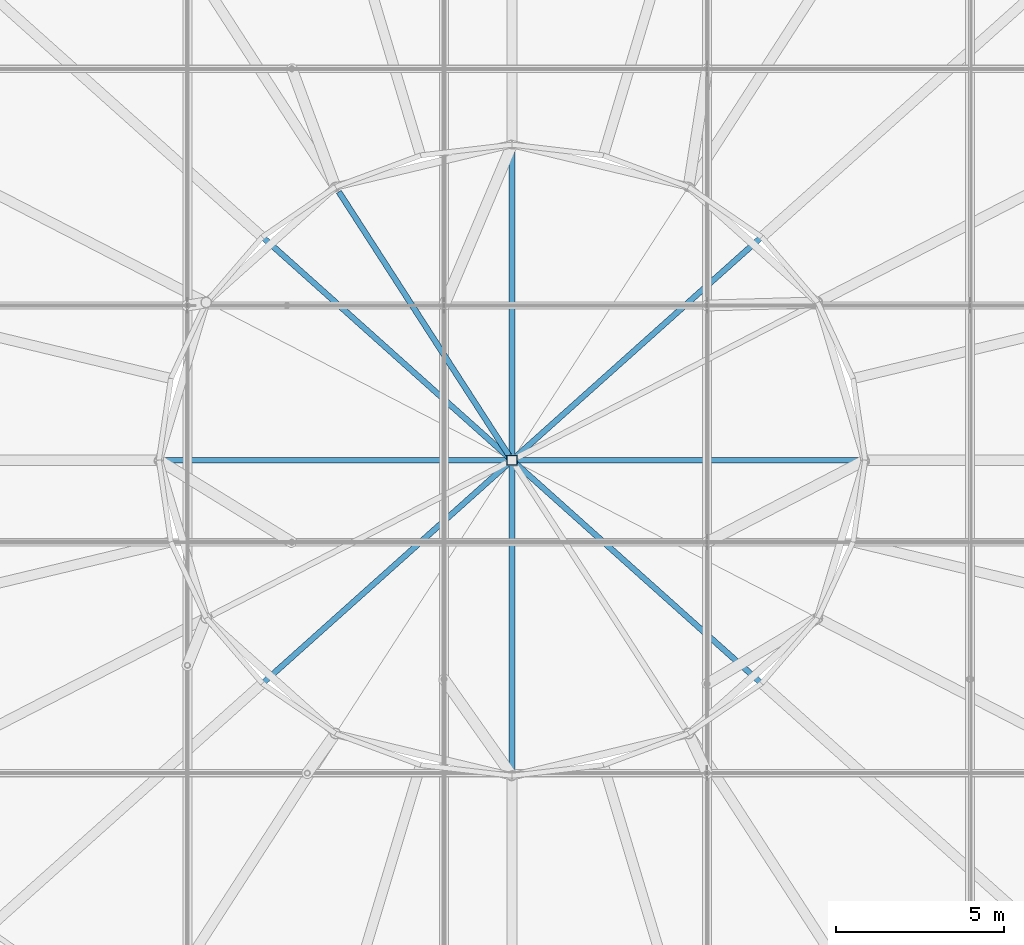
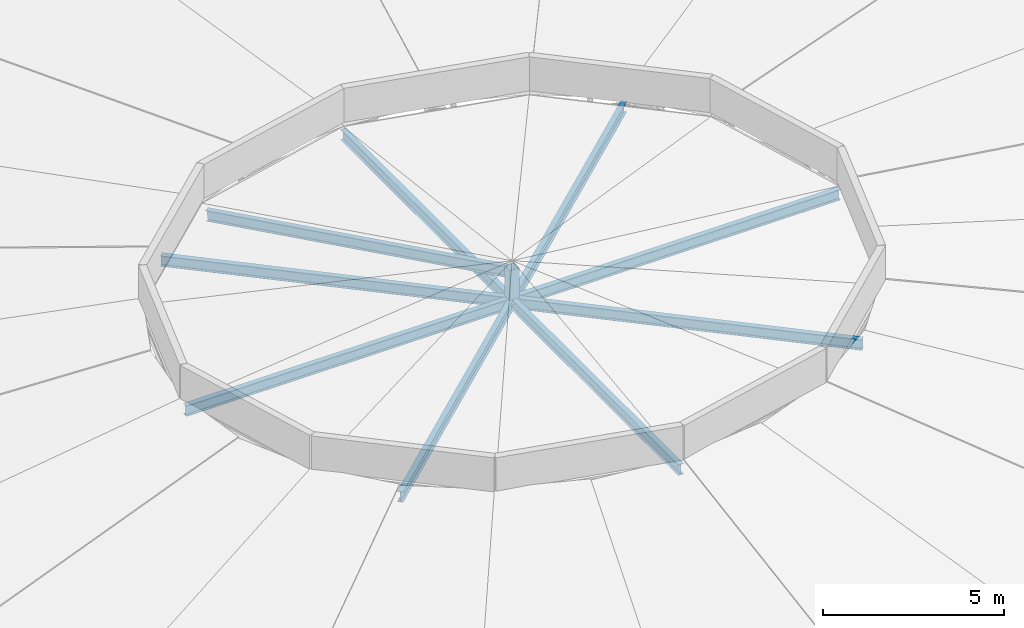
# One storey, part 54 of 173: 5 beams, 1 member.
"""IFC4 building model written with IfcOpenShell, lengths in metres."""

from ifc_helpers import new_model, si_unit, direction, frame, origin, origin_2d, place, context, subcontext, project, spatial, hollow_rectangle, i_section, extrude, material, material_profile, profile_set, type_object, element, save


model = new_model("IFC4")

# Units and contexts
model_context = context("Model", 3, precision=1e-05, world=origin(), true_north=direction((0.0, 1.0)))
body_context = subcontext(model_context, "Body", "Model", "MODEL_VIEW")
ifc_project = project(units=[si_unit("LENGTHUNIT", "METRE"), si_unit("AREAUNIT", "SQUARE_METRE"), si_unit("VOLUMEUNIT", "CUBIC_METRE"), si_unit("PLANEANGLEUNIT", "RADIAN"), si_unit("MASSUNIT", "GRAM", prefix="KILO")], contexts=[model_context])

# Site, building, storey
site_placement = place(None, origin())
site = spatial("IfcSite", under=ifc_project, at=site_placement, CompositionType="ELEMENT")
building_placement = place(site_placement, origin())
building = spatial("IfcBuilding", under=site, at=building_placement, Name="Glasvene Arena", CompositionType="ELEMENT")
storey_placement = place(building_placement, frame((0.0, 0.0, 28.800048828125)))
storey = spatial("IfcBuildingStorey", under=building, at=storey_placement, Name="RF", CompositionType="ELEMENT", Elevation=28.800048828125)

# Beams
ifc_material = material(Name="Steel S355J2", Category="steel")
ifc_material_profile_1 = material_profile(ifc_material, i_section(OverallWidth=0.17138671875, OverallDepth=0.35498046875, WebThickness=0.00732421875, FlangeThickness=0.011474609375, FilletRadius=0.01025390625, at=origin_2d()), Name="UKB 356x171x51")
ifc_profile_set_1 = profile_set([ifc_material_profile_1], Name="Steel S355J2")
beam_type = type_object("IfcBeamType", Name="BM-JOIST-356", PredefinedType="JOIST", material=ifc_profile_set_1)
beam_1_placement = place(storey_placement, frame((96.64990234375, 68.39990234375, 13.079833984375), z_axis=(-1.0, 0.0, 0.0), x_axis=(0.0, -1.0, 0.0)))
element("IfcBeam", 1, at=beam_1_placement, inside=storey, type_object=beam_type, Name="Crown lantern roof beam 01", PredefinedType="JOIST", context=body_context, shape_type="SweptSolid", body=[
    extrude(i_section(OverallWidth=0.17138671875, OverallDepth=0.35498046875, WebThickness=0.00732421875, FlangeThickness=0.011474609375, FilletRadius=0.01025390625, at=origin_2d()), origin(), (0.0, 0.0, 1.0), 20.89990234375),
])
beam_2_placement = place(storey_placement, frame((93.58935546875, 75.011474609375, 13.079833984375), z_axis=(-0.745241957502, -0.66679413973, 0.0), x_axis=(0.66679413973, -0.745241957502, 0.0)))
element("IfcBeam", 2, at=beam_2_placement, inside=storey, type_object=beam_type, Name="Crown lantern roof beam 04", PredefinedType="JOIST", context=body_context, shape_type="SweptSolid", body=[
    extrude(i_section(OverallWidth=0.17138671875, OverallDepth=0.35498046875, WebThickness=0.00732421875, FlangeThickness=0.011474609375, FilletRadius=0.01025390625, at=origin_2d()), origin(), (0.0, 0.0, 1.0), 19.83056640625),
])
beam_3_placement = place(storey_placement, frame((86.199951171875, 77.75, 13.079833984375), z_axis=(0.0, -1.0, 0.0), x_axis=(1.0, 0.0, 0.0)))
element("IfcBeam", 3, at=beam_3_placement, inside=storey, type_object=beam_type, Name="Crown lantern roof beam 07", PredefinedType="JOIST", context=body_context, shape_type="SweptSolid", body=[
    extrude(i_section(OverallWidth=0.17138671875, OverallDepth=0.35498046875, WebThickness=0.00732421875, FlangeThickness=0.011474609375, FilletRadius=0.01025390625, at=origin_2d()), origin(), (0.0, 0.0, 1.0), 18.699951171875),
])
beam_4_placement = place(storey_placement, frame((78.810791015625, 75.011474609375, 13.079833984375), z_axis=(0.745241957502, -0.66679413973, 0.0), x_axis=(0.66679413973, 0.745241957502, 0.0)))
element("IfcBeam", 4, at=beam_4_placement, inside=storey, type_object=beam_type, Name="Crown lantern roof beam 10", PredefinedType="JOIST", context=body_context, shape_type="SweptSolid", body=[
    extrude(i_section(OverallWidth=0.17138671875, OverallDepth=0.35498046875, WebThickness=0.00732421875, FlangeThickness=0.011474609375, FilletRadius=0.01025390625, at=origin_2d()), origin(), (0.0, 0.0, 1.0), 19.83056640625),
])
beam_5_placement = place(storey_placement, frame((81.061767578125, 76.36279296875, 12.994873046875), z_axis=(0.538591950723, -0.834660040594, 0.115157836257), x_axis=(0.840250050633, 0.542199089276, 0.0)))
element("IfcBeam", 5, at=beam_5_placement, inside=storey, type_object=beam_type, Name="Crown lantern hip rafter 08", PredefinedType="JOIST", context=body_context, shape_type="SweptSolid", body=[
    extrude(i_section(OverallWidth=0.17138671875, OverallDepth=0.35498046875, WebThickness=0.00732421875, FlangeThickness=0.011474609375, FilletRadius=0.01025390625, at=origin_2d()), origin(), (0.0, 0.0, 1.0), 9.379150390625),
])

# Member
ifc_material_profile_2 = material_profile(ifc_material, hollow_rectangle(XDim=0.300048828125, YDim=0.300048828125, WallThickness=0.012451171875, at=origin_2d()), Name="SHS 300x300x12.5")
ifc_profile_set_2 = profile_set([ifc_material_profile_2], Name="Steel S355J2")
member_type = type_object("IfcMemberType", Name="MEM-POST-SHS300", PredefinedType="POST", material=ifc_profile_set_2)
member_placement = place(storey_placement, frame((86.199951171875, 68.39990234375, 13.079833984375), z_axis=(0.0, 0.0, 1.0), x_axis=(1.0, 0.0, 0.0)))
element("IfcMember", 6, at=member_placement, inside=storey, type_object=member_type, Name="Crown lantern central apex kingpost", PredefinedType="POST", context=body_context, shape_type="SweptSolid", body=[
    extrude(hollow_rectangle(XDim=0.300048828125, YDim=0.300048828125, WallThickness=0.012451171875, at=origin_2d()), origin(), (0.0, 0.0, 1.0), 1.18017578125),
])

save(model, "model.ifc")
